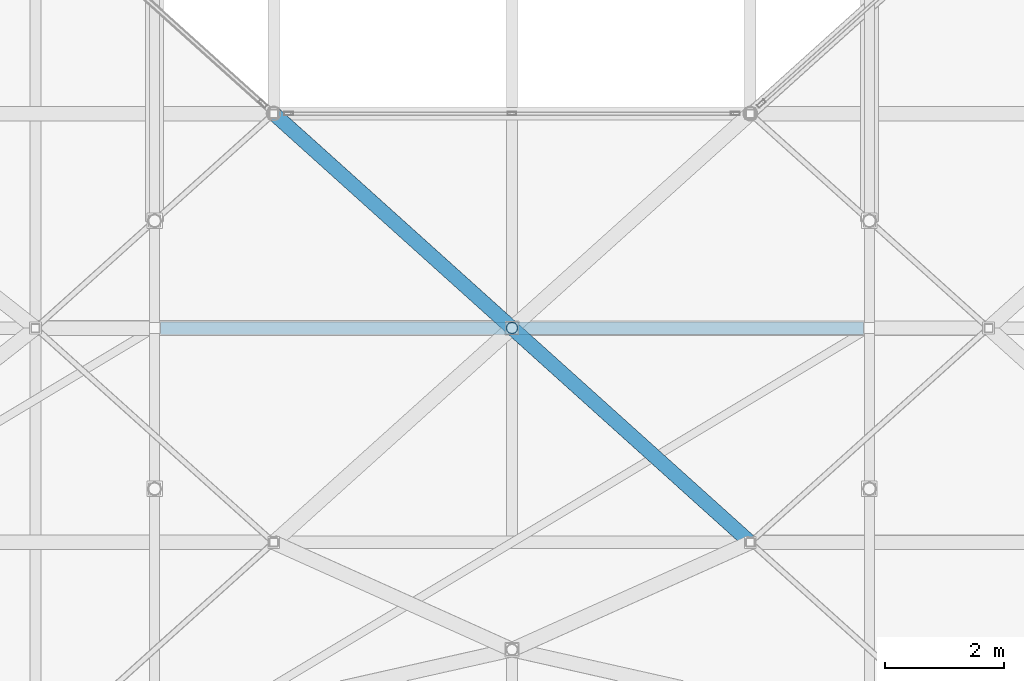
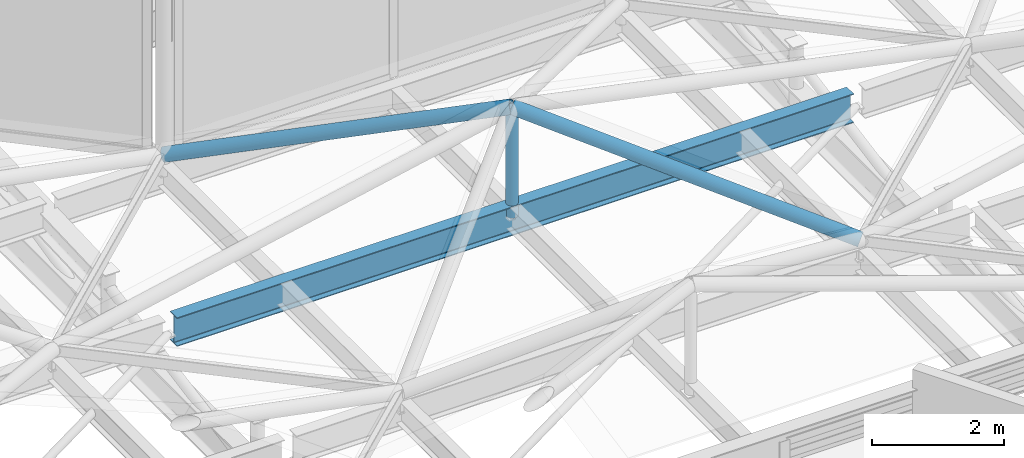
# One storey, part 11 of 239: 3 members, 1 beam.
"""IFC4 building model written with IfcOpenShell, lengths in metres."""

from ifc_helpers import new_model, si_unit, direction, frame, origin, origin_2d, place, context, subcontext, project, spatial, hollow_circle, i_section, extrude, material, material_profile, profile_set, type_object, element, save


model = new_model("IFC4")

# Units and contexts
model_context = context("Model", 3, precision=1e-05, world=origin(), true_north=direction((0.0, 1.0)))
body_context = subcontext(model_context, "Body", "Model", "MODEL_VIEW")
ifc_project = project(units=[si_unit("LENGTHUNIT", "METRE"), si_unit("AREAUNIT", "SQUARE_METRE"), si_unit("VOLUMEUNIT", "CUBIC_METRE"), si_unit("PLANEANGLEUNIT", "RADIAN"), si_unit("MASSUNIT", "GRAM", prefix="KILO")], contexts=[model_context])

# Site, building, storey
site_placement = place(None, origin())
site = spatial("IfcSite", under=ifc_project, at=site_placement, CompositionType="ELEMENT")
building_placement = place(site_placement, origin())
building = spatial("IfcBuilding", under=site, at=building_placement, Name="Dunvalen Ferry Terminal", CompositionType="ELEMENT")
storey_placement = place(building_placement, frame((0.0, 0.0, 9.840087890625)))
storey = spatial("IfcBuildingStorey", under=building, at=storey_placement, Name="L02", CompositionType="ELEMENT", Elevation=9.840087890625)

# Beam
ifc_material = material(Name="Steel S355", Category="steel")
ifc_material_profile_1 = material_profile(ifc_material, i_section(OverallWidth=0.209228515625, OverallDepth=0.533203125, WebThickness=0.010009765625, FlangeThickness=0.015625, FilletRadius=0.0126953125, at=origin_2d()), Name="Steel S355")
ifc_profile_set_1 = profile_set([ifc_material_profile_1], Name="Steel S355")
beam_type = type_object("IfcBeamType", Name="STR-BM-UKB533", PredefinedType="BEAM", material=ifc_profile_set_1)
beam_placement = place(storey_placement, frame((24.10009765625, 57.60009765625, 0.7333984375), z_axis=(1.0, 0.0, 0.0), x_axis=(0.0, 1.0, 0.0)))
element("IfcBeam", 1, at=beam_placement, inside=storey, type_object=beam_type, Name="Departure Hall Spine Girder B2.03", PredefinedType="BEAM", context=body_context, shape_type="SweptSolid", body=[
    extrude(i_section(OverallWidth=0.209228515625, OverallDepth=0.533203125, WebThickness=0.010009765625, FlangeThickness=0.015625, FilletRadius=0.0126953125, at=origin_2d()), origin(), (0.0, 0.0, 1.0), 11.7998046875),
])

# Members
ifc_material_profile_2 = material_profile(ifc_material, hollow_circle(Radius=0.096923828125, WallThickness=0.008056640625, at=origin_2d()), Name="Steel S355")
ifc_profile_set_2 = profile_set([ifc_material_profile_2], Name="Steel S355")
member_type_1 = type_object("IfcMemberType", Name="STR-MB-CHS193", PredefinedType="STRUT", material=ifc_profile_set_2)
member_1_placement = place(storey_placement, frame((30.0, 57.60009765625, 0.77001953125), z_axis=(0.0, 0.0, 1.0), x_axis=(1.0, 0.0, 0.0)))
element("IfcMember", 2, at=member_1_placement, inside=storey, type_object=member_type_1, Name="HEX-13 Pyramid Apex Strut", PredefinedType="STRUT", context=body_context, shape_type="SweptSolid", body=[
    extrude(hollow_circle(Radius=0.096923828125, WallThickness=0.008056640625, at=origin_2d()), origin(), (0.0, 0.0, 1.0), 1.994873046875),
])
ifc_material_profile_3 = material_profile(ifc_material, hollow_circle(Radius=0.122314453125, WallThickness=0.010009765625, at=origin_2d()), Name="Steel S355")
ifc_profile_set_3 = profile_set([ifc_material_profile_3], Name="Steel S355")
member_type_2 = type_object("IfcMemberType", Name="STR-MB-CHS244", PredefinedType="STRUT", material=ifc_profile_set_3)
member_2_placement = place(storey_placement, frame((34.0, 54.0, 1.099853515625), z_axis=(-0.710074680578, 0.639084548328, 0.295575520114), x_axis=(-0.668974757313, -0.743285123004, 0.0)))
element("IfcMember", 3, at=member_2_placement, inside=storey, type_object=member_type_2, Name="HEX-13 Pyramid Hip Rafter 3", PredefinedType="STRUT", context=body_context, shape_type="SweptSolid", body=[
    extrude(hollow_circle(Radius=0.122314453125, WallThickness=0.010009765625, at=origin_2d()), origin(), (0.0, 0.0, 1.0), 5.63330078125),
])
member_3_placement = place(storey_placement, frame((26.0, 61.199951171875, 1.099853515625), z_axis=(0.710094348105, -0.639058908863, 0.295583706914), x_axis=(0.668949692402, 0.74330768127, 0.0)))
element("IfcMember", 4, at=member_3_placement, inside=storey, type_object=member_type_2, Name="HEX-13 Pyramid Hip Rafter 6", PredefinedType="STRUT", context=body_context, shape_type="SweptSolid", body=[
    extrude(hollow_circle(Radius=0.122314453125, WallThickness=0.010009765625, at=origin_2d()), origin(), (0.0, 0.0, 1.0), 5.633056640625),
])

save(model, "model.ifc")
